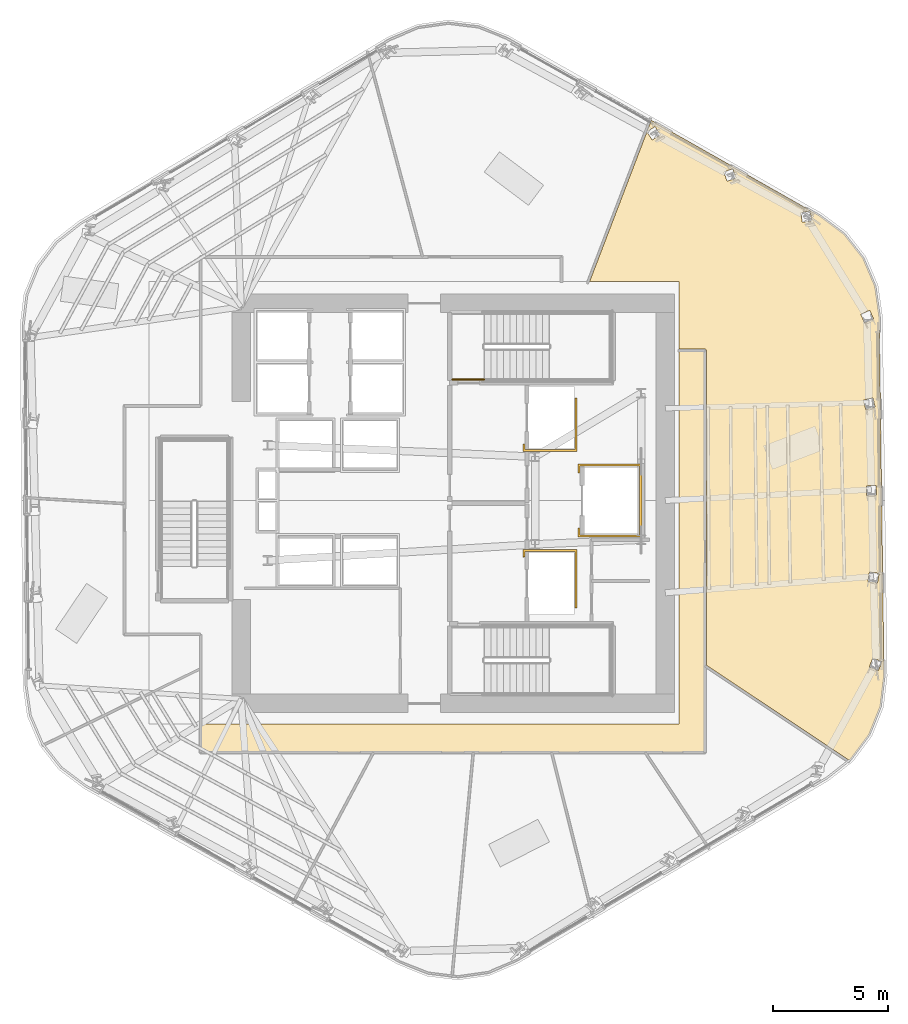
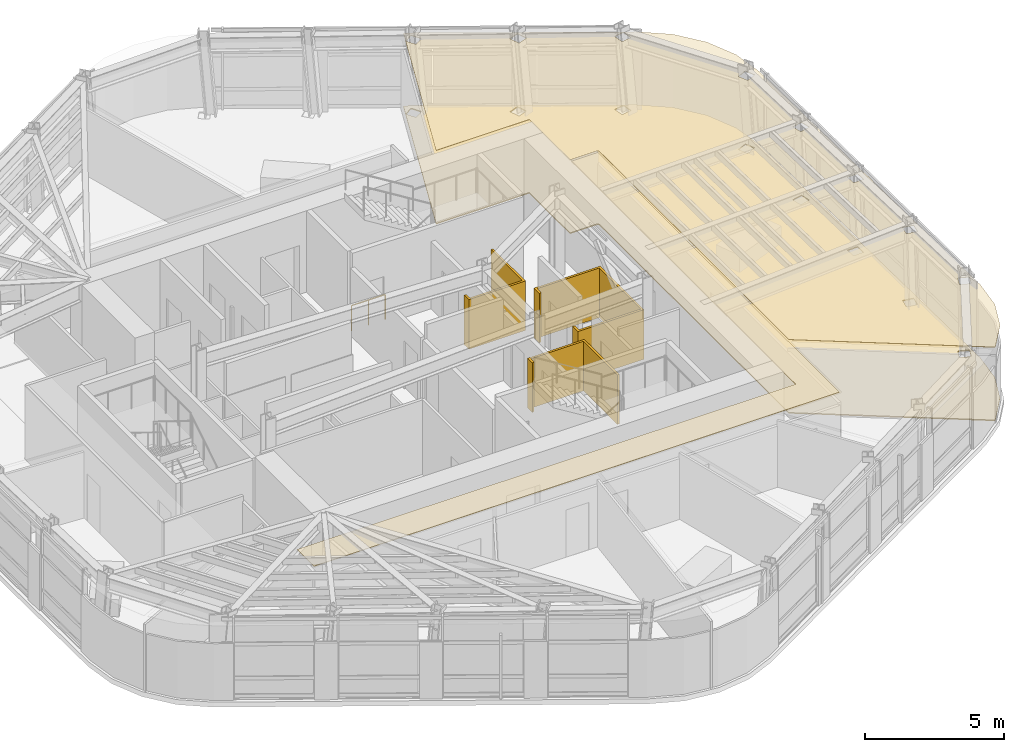
# One storey, part 13 of 16: 6 coverings, 1 railing.
"""IFC4 building model written with IfcOpenShell, lengths in metres."""

from ifc_helpers import new_model, si_unit, direction, frame, origin, origin_2d, place, context, subcontext, project, spatial, polyline, circle, outline, extrude, material, layer, layer_set, type_object, element, save


model = new_model("IFC4")

# Units and contexts
model_context = context("Model", 3, precision=1e-05, world=origin(), true_north=direction((0.0, 1.0)))
body_context = subcontext(model_context, "Body", "Model", "MODEL_VIEW")
ifc_project = project(units=[si_unit("LENGTHUNIT", "METRE"), si_unit("AREAUNIT", "SQUARE_METRE"), si_unit("VOLUMEUNIT", "CUBIC_METRE"), si_unit("PLANEANGLEUNIT", "RADIAN"), si_unit("MASSUNIT", "GRAM", prefix="KILO")], contexts=[model_context])

# Site, building, storey
site_placement = place(None, origin())
site = spatial("IfcSite", under=ifc_project, at=site_placement, CompositionType="ELEMENT")
building_placement = place(site_placement, origin())
building = spatial("IfcBuilding", under=site, at=building_placement, Name="Valkerne Bourse Tower", CompositionType="ELEMENT")
storey_placement = place(building_placement, frame((0.0, 0.0, 155.199951171875)))
storey = spatial("IfcBuildingStorey", under=building, at=storey_placement, Name="L39", CompositionType="ELEMENT", Elevation=155.199951171875)

# Coverings
ifc_material_1 = material(Name="Mineral Fiber Acoustic Ceiling Tile", Category="acoustic")
ifc_layer_1 = layer(ifc_material_1, 0.02490234375)
ifc_layer_set_1 = layer_set([ifc_layer_1], Name="Mineral Fiber Acoustic Ceiling Tile")
covering_type_1 = type_object("IfcCoveringType", Name="COV-CEIL-ACT", PredefinedType="CEILING", material=ifc_layer_set_1)
covering_1_placement = place(storey_placement, frame((0.0, 0.0, 3.22998046875)))
element("IfcCovering", 1, at=covering_1_placement, inside=storey, type_object=covering_type_1, Name="L39 Suspended Ceiling 12", PredefinedType="CEILING", context=body_context, shape_type="SweptSolid", body=[
    extrude(outline(polyline([(64.039306640625, 15.784423828125), (63.975341796875, 15.734375), (57.7890625, 19.85302734375), (57.785400390625, 33.522705078125), (57.76171875, 33.555419921875), (57.723388671875, 33.56884765625), (56.60009765625, 33.569091796875), (56.60009765625, 36.5), (52.71826171875, 36.5), (55.39208984375, 43.489501953125), (62.697509765625, 39.348388671875), (63.760498046875, 38.55029296875), (64.57470703125, 37.511962890625), (65.09228515625, 36.298095703125), (65.279541015625, 34.982177734375), (65.4833984375, 19.38330078125), (65.32373046875, 18.064208984375), (64.83154296875, 16.83984375), (64.039306640625, 15.784423828125)]), holes=[polyline([(65.390380859375, 20.01220703125), (64.993896484375, 20.163818359375), (64.992919921875, 20.1611328125), (64.845458984375, 19.775390625), (65.241943359375, 19.623779296875), (65.2431640625, 19.62646484375), (65.390380859375, 20.01220703125)]), polyline([(65.273193359375, 23.831298828125), (64.855224609375, 23.905517578125), (64.854736328125, 23.903076171875), (64.782470703125, 23.49609375), (65.200439453125, 23.421875), (65.200927734375, 23.42431640625), (65.273193359375, 23.831298828125)]), polyline([(65.156005859375, 27.231689453125), (65.156005859375, 27.234619140625), (65.14404296875, 27.6474609375), (64.719482421875, 27.63525390625), (64.719482421875, 27.6328125), (64.7314453125, 27.219482421875), (65.156005859375, 27.231689453125)]), polyline([(65.102294921875, 31.05029296875), (65.101806640625, 31.052978515625), (65.006103515625, 31.454833984375), (64.593017578125, 31.356689453125), (64.593505859375, 31.35400390625), (64.689208984375, 30.951904296875), (65.102294921875, 31.05029296875)]), polyline([(65.03662109375, 34.870849609375), (65.035400390625, 34.873291015625), (64.86572265625, 35.25), (64.478515625, 35.07568359375), (64.479736328125, 35.0732421875), (64.6494140625, 34.696533203125), (65.03662109375, 34.870849609375)]), polyline([(62.3515625, 39.133544921875), (62.28515625, 39.5517578125), (62.283447265625, 39.55419921875), (61.874755859375, 39.48828125), (61.94091796875, 39.06982421875), (61.942626953125, 39.067626953125), (62.3515625, 39.133544921875)]), polyline([(58.927001953125, 41.38671875), (58.9248046875, 41.388427734375), (58.53564453125, 41.2470703125), (58.679443359375, 40.848388671875), (58.681396484375, 40.8466796875), (59.07080078125, 40.98828125), (58.927001953125, 41.38671875)]), polyline([(55.781494140625, 42.852294921875), (55.559814453125, 43.21337890625), (55.557373046875, 43.214599609375), (55.205078125, 42.996826171875), (55.427001953125, 42.635986328125), (55.42919921875, 42.634521484375), (55.781494140625, 42.852294921875)])]), origin(), (0.0, 0.0, 1.0), 0.025146484375),
])
ifc_material_2 = material(Name="Bronze Anodised Aluminium AA 6063-T6", Category="aluminium")
ifc_layer_2 = layer(ifc_material_2, 0.030029296875)
ifc_layer_set_2 = layer_set([ifc_layer_2], Name="Bronze Anodised Aluminium AA 6063-T6")
covering_type_2 = type_object("IfcCoveringType", Name="COV-CEIL-METAL", PredefinedType="CEILING", material=ifc_layer_set_2)
covering_2_placement = place(storey_placement, frame((0.0, 0.0, 3.22998046875)))
element("IfcCovering", 2, at=covering_2_placement, inside=storey, type_object=covering_type_2, Name="L39 Suspended Ceiling 01", PredefinedType="CEILING", context=body_context, shape_type="SweptSolid", body=[
    extrude(outline(polyline([(35.85400390625, 17.300048828125), (56.60009765625, 17.300048828125), (56.60009765625, 33.49609375), (57.716064453125, 33.49609375), (57.716064453125, 16.083984375), (35.85400390625, 16.083984375), (35.85400390625, 17.300048828125)])), origin(), (0.0, 0.0, 1.0), 0.025146484375),
])
ifc_material_3 = material(Name="Galvanised Painted Steel", Category="steel")
ifc_layer_3 = layer(ifc_material_3, 0.044921875)
ifc_layer_set_3 = layer_set([ifc_layer_3], Name="Galvanised Painted Steel")
covering_type_3 = type_object("IfcCoveringType", Name="COV-FLR-RAF", PredefinedType="FLOORING", material=ifc_layer_set_3)
covering_3_placement = place(storey_placement, origin())
element("IfcCovering", 3, at=covering_3_placement, inside=storey, type_object=covering_type_3, Name="L39 Floor Finish 12", PredefinedType="FLOORING", context=body_context, shape_type="SweptSolid", body=[
    extrude(outline(polyline([(64.039306640625, 15.784423828125), (63.975341796875, 15.734375), (57.7890625, 19.85302734375), (57.785400390625, 33.522705078125), (57.76171875, 33.555419921875), (57.723388671875, 33.56884765625), (56.60009765625, 33.569091796875), (56.60009765625, 36.5), (52.71826171875, 36.5), (55.39208984375, 43.489501953125), (62.697509765625, 39.348388671875), (63.760498046875, 38.55029296875), (64.57470703125, 37.511962890625), (65.09228515625, 36.298095703125), (65.279541015625, 34.982177734375), (65.4833984375, 19.38330078125), (65.32373046875, 18.064208984375), (64.83154296875, 16.83984375), (64.039306640625, 15.784423828125)]), holes=[polyline([(65.390380859375, 20.01220703125), (64.993896484375, 20.163818359375), (64.992919921875, 20.1611328125), (64.845458984375, 19.775390625), (65.241943359375, 19.623779296875), (65.2431640625, 19.62646484375), (65.390380859375, 20.01220703125)]), polyline([(65.273193359375, 23.831298828125), (64.855224609375, 23.905517578125), (64.854736328125, 23.903076171875), (64.782470703125, 23.49609375), (65.200439453125, 23.421875), (65.200927734375, 23.42431640625), (65.273193359375, 23.831298828125)]), polyline([(65.156005859375, 27.231689453125), (65.156005859375, 27.234619140625), (65.14404296875, 27.6474609375), (64.719482421875, 27.63525390625), (64.719482421875, 27.6328125), (64.7314453125, 27.219482421875), (65.156005859375, 27.231689453125)]), polyline([(65.102294921875, 31.05029296875), (65.101806640625, 31.052978515625), (65.006103515625, 31.454833984375), (64.593017578125, 31.356689453125), (64.593505859375, 31.35400390625), (64.689208984375, 30.951904296875), (65.102294921875, 31.05029296875)]), polyline([(65.03662109375, 34.870849609375), (65.035400390625, 34.873291015625), (64.86572265625, 35.25), (64.478515625, 35.07568359375), (64.479736328125, 35.0732421875), (64.6494140625, 34.696533203125), (65.03662109375, 34.870849609375)]), polyline([(62.3515625, 39.133544921875), (62.28515625, 39.5517578125), (62.283447265625, 39.55419921875), (61.874755859375, 39.48828125), (61.94091796875, 39.06982421875), (61.942626953125, 39.067626953125), (62.3515625, 39.133544921875)]), polyline([(58.927001953125, 41.38671875), (58.9248046875, 41.388427734375), (58.53564453125, 41.2470703125), (58.679443359375, 40.848388671875), (58.681396484375, 40.8466796875), (59.07080078125, 40.98828125), (58.927001953125, 41.38671875)]), polyline([(55.781494140625, 42.852294921875), (55.559814453125, 43.21337890625), (55.557373046875, 43.214599609375), (55.205078125, 42.996826171875), (55.427001953125, 42.635986328125), (55.42919921875, 42.634521484375), (55.781494140625, 42.852294921875)])]), origin(), (0.0, 0.0, 1.0), 0.045166015625),
])
ifc_material_4 = material(Name="Gypsum Shaftwall Liner Board", Category="gypsum")
ifc_layer_4 = layer(ifc_material_4, 0.080078125)
ifc_layer_set_4 = layer_set([ifc_layer_4], Name="Gypsum Shaftwall Liner Board")
covering_type_4 = type_object("IfcCoveringType", Name="COV-SHF-CLAD", PredefinedType="CLADDING", material=ifc_layer_set_4)
covering_4_placement = place(storey_placement, origin())
element("IfcCovering", 4, at=covering_4_placement, inside=storey, type_object=covering_type_4, Name="L39 Hoistway & Riser Shaftwall Liner 05", PredefinedType="CLADDING", context=body_context, shape_type="SweptSolid", body=[
    extrude(outline(polyline([(52.179931640625, 22.35009765625), (52.090087890625, 22.35009765625), (52.090087890625, 24.7900390625), (49.909912109375, 24.7900390625), (49.909912109375, 24.560791015625), (49.869384765625, 24.550537109375), (49.827880859375, 24.53564453125), (49.820068359375, 24.531982421875), (49.820068359375, 24.8798828125), (52.179931640625, 24.8798828125), (52.179931640625, 22.35009765625)])), origin(), (0.0, 0.0, 1.0), 2.179931640625),
])
covering_5_placement = place(storey_placement, origin())
element("IfcCovering", 5, at=covering_5_placement, inside=storey, type_object=covering_type_4, Name="L39 Hoistway & Riser Shaftwall Liner 06", PredefinedType="CLADDING", context=body_context, shape_type="SweptSolid", body=[
    extrude(outline(polyline([(54.97998046875, 25.419921875), (52.219970703125, 25.419921875), (52.219970703125, 25.81787109375), (52.227783203125, 25.814208984375), (52.269287109375, 25.79931640625), (52.31005859375, 25.789306640625), (52.31005859375, 25.510009765625), (54.889892578125, 25.510009765625), (54.889892578125, 28.489990234375), (52.31005859375, 28.489990234375), (52.31005859375, 28.210693359375), (52.269287109375, 28.20068359375), (52.227783203125, 28.185791015625), (52.219970703125, 28.18212890625), (52.219970703125, 28.580078125), (54.97998046875, 28.580078125), (54.97998046875, 25.419921875)])), origin(), (0.0, 0.0, 1.0), 2.179931640625),
])
covering_6_placement = place(storey_placement, origin())
element("IfcCovering", 6, at=covering_6_placement, inside=storey, type_object=covering_type_4, Name="L39 Hoistway & Riser Shaftwall Liner 08", PredefinedType="CLADDING", context=body_context, shape_type="SweptSolid", body=[
    extrude(outline(polyline([(49.820068359375, 29.1201171875), (49.820068359375, 29.468017578125), (49.827880859375, 29.46435546875), (49.869384765625, 29.449462890625), (49.909912109375, 29.439208984375), (49.909912109375, 29.2099609375), (52.090087890625, 29.2099609375), (52.090087890625, 31.449951171875), (52.179931640625, 31.449951171875), (52.179931640625, 29.1201171875), (49.820068359375, 29.1201171875)])), origin(), (0.0, 0.0, 1.0), 2.179931640625),
])

# Railing
railing_type = type_object("IfcRailingType", Name="RLG-ST-GUARD-1120", PredefinedType="GUARDRAIL", material=ifc_material_3)
railing_placement = place(storey_placement, frame((46.75, 32.25, 0.0)))
element("IfcRailing", 7, at=railing_placement, inside=storey, type_object=railing_type, Name="L39 ST-2 stair guard 8", PredefinedType="GUARDRAIL", context=body_context, shape_type="SweptSolid", body=[
    extrude(circle(Radius=0.02392578125, at=origin_2d()), frame((0.0, 0.0, 1.09619140625), z_axis=(1.0, 0.0, 0.0), x_axis=(0.0, 1.0, 0.0)), (0.0, 0.0, 1.0), 1.39990234375),
    extrude(circle(Radius=0.02099609375, at=origin_2d()), origin(), (0.0, 0.0, 1.0), 1.072021484375),
    extrude(circle(Radius=0.02099609375, at=origin_2d()), frame((0.699951171875, 0.0, 0.0)), (0.0, 0.0, 1.0), 1.072021484375),
    extrude(circle(Radius=0.02099609375, at=origin_2d()), frame((1.39990234375, 0.0, 0.0)), (0.0, 0.0, 1.0), 1.072021484375),
])

save(model, "model.ifc")
